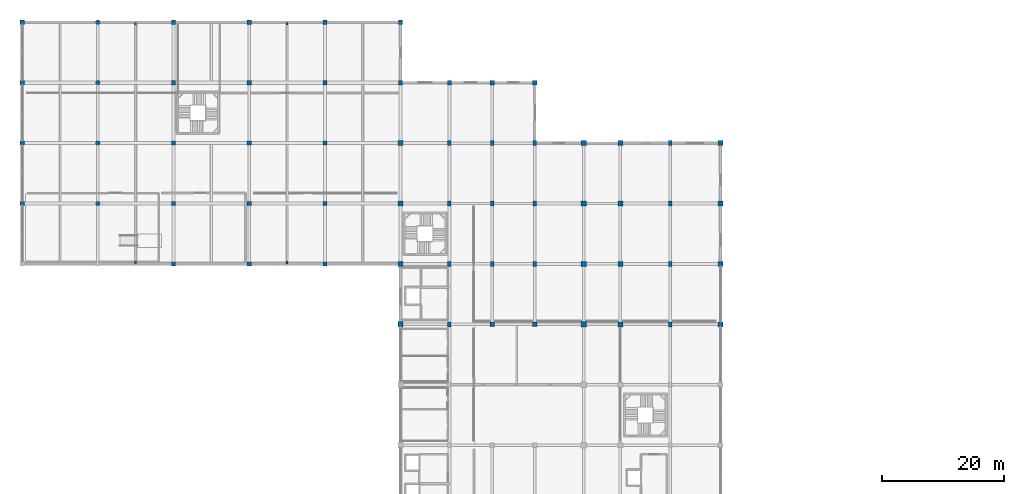
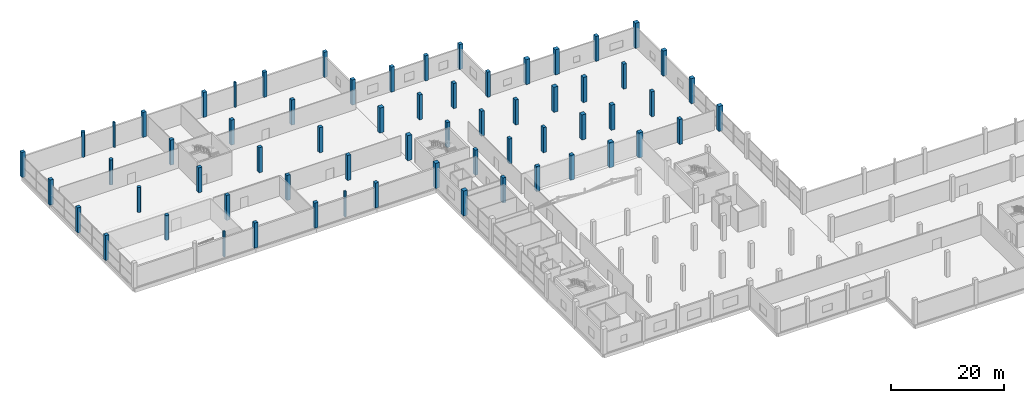
# One storey, part 2 of 72: 64 columns.
"""IFC4 building model written with IfcOpenShell, lengths in metres."""

from ifc_helpers import new_model, si_unit, direction, frame, origin, origin_2d, place, context, subcontext, project, spatial, rectangle, circle, extrude, material, material_profile, profile_set, type_object, element, save


model = new_model("IFC4")

# Units and contexts
model_context = context("Model", 3, precision=1e-05, world=origin(), true_north=direction((0.0, 1.0)))
body_context = subcontext(model_context, "Body", "Model", "MODEL_VIEW")
ifc_project = project(units=[si_unit("LENGTHUNIT", "METRE"), si_unit("AREAUNIT", "SQUARE_METRE"), si_unit("VOLUMEUNIT", "CUBIC_METRE"), si_unit("PLANEANGLEUNIT", "RADIAN"), si_unit("MASSUNIT", "GRAM", prefix="KILO")], contexts=[model_context])

# Site, building, storey
site_placement = place(None, origin())
site = spatial("IfcSite", under=ifc_project, at=site_placement, CompositionType="ELEMENT")
building_placement = place(site_placement, origin())
building = spatial("IfcBuilding", under=site, at=building_placement, Name="Sillaruma Civic Art Gallery", CompositionType="ELEMENT")
storey_placement = place(building_placement, frame((0.0, 0.0, 10.8798828125)))
storey = spatial("IfcBuildingStorey", under=building, at=storey_placement, Name="L02", CompositionType="ELEMENT", Elevation=10.8798828125)

# Columns
ifc_material = material(Name="Concrete H40 (40 MPa)", Category="concrete")
ifc_material_profile_1 = material_profile(ifc_material, rectangle(XDim=0.699951171875, YDim=0.699951171875, at=origin_2d()), Name="RC700x700")
ifc_profile_set_1 = profile_set([ifc_material_profile_1], Name="Concrete H40 (40 MPa)")
column_type_1 = type_object("IfcColumnType", Name="COL-COLUMN-RC700x700", PredefinedType="COLUMN", material=ifc_profile_set_1)
for number, where, z_axis, x_axis, name in (
    (1, (0.0, 89.10009765625, 0.0), (0.0, 0.0, 1.0), (1.0, 0.0, 0.0), "Column C-06 (L02:A10)"),
    (2, (0.0, 99.0, 0.0), (0.0, 0.0, 1.0), (1.0, 0.0, 0.0), "Column C-06 (L02:A11)"),
    (3, (0.0, 108.89990234375, 0.0), (0.0, 0.0, 1.0), (1.0, 0.0, 0.0), "Column C-06 (L02:A12)"),
    (4, (0.0, 118.800048828125, 0.0), (0.0, 0.0, 1.0), (1.0, 0.0, 0.0), "Column C-06 (L02:A13)"),
    (5, (24.800048828125, 79.199951171875, 0.0), (0.0, 0.0, 1.0), (1.0, 0.0, 0.0), "Column C-06 (L02:C9)"),
    (6, (24.800048828125, 89.10009765625, 0.0), (0.0, 0.0, 1.0), (1.0, 0.0, 0.0), "Column C-06 (L02:C10)"),
    (7, (24.800048828125, 99.0, 0.0), (0.0, 0.0, 1.0), (1.0, 0.0, 0.0), "Column C-06 (L02:C11)"),
    (8, (24.800048828125, 108.89990234375, 0.0), (0.0, 0.0, 1.0), (1.0, 0.0, 0.0), "Column C-06 (L02:C12)"),
    (9, (24.800048828125, 118.800048828125, 0.0), (0.0, 0.0, 1.0), (1.0, 0.0, 0.0), "Column C-06 (L02:C13)"),
    (10, (37.199951171875, 79.199951171875, 0.0), (0.0, 0.0, 1.0), (1.0, 0.0, 0.0), "Column C-06 (L02:D9)"),
    (11, (37.199951171875, 89.10009765625, 0.0), (0.0, 0.0, 1.0), (1.0, 0.0, 0.0), "Column C-06 (L02:D10)"),
    (12, (37.199951171875, 99.0, 0.0), (0.0, 0.0, 1.0), (1.0, 0.0, 0.0), "Column C-06 (L02:D11)"),
    (13, (37.199951171875, 108.89990234375, 0.0), (0.0, 0.0, 1.0), (1.0, 0.0, 0.0), "Column C-06 (L02:D12)"),
    (14, (37.199951171875, 118.800048828125, 0.0), (0.0, 0.0, 1.0), (1.0, 0.0, 0.0), "Column C-06 (L02:D13)"),
    (15, (49.60009765625, 79.199951171875, 0.0), (0.0, 0.0, 1.0), (1.0, 0.0, 0.0), "Column C-06 (L02:E9)"),
    (16, (49.60009765625, 89.10009765625, 0.0), (0.0, 0.0, 1.0), (1.0, 0.0, 0.0), "Column C-06 (L02:E10)"),
    (17, (49.60009765625, 99.0, 0.0), (0.0, 0.0, 1.0), (1.0, 0.0, 0.0), "Column C-06 (L02:E11)"),
    (18, (49.60009765625, 108.89990234375, 0.0), (0.0, 0.0, 1.0), (1.0, 0.0, 0.0), "Column C-06 (L02:E12)"),
    (19, (49.60009765625, 118.800048828125, 0.0), (0.0, 0.0, 1.0), (1.0, 0.0, 0.0), "Column C-06 (L02:E13)"),
    (20, (62.0, 108.89990234375, 0.0), (0.0, 0.0, 1.0), (1.0, 0.0, 0.0), "Column C-06 (L02:F12)"),
    (21, (62.0, 118.800048828125, 0.0), (0.0, 0.0, 1.0), (1.0, 0.0, 0.0), "Column C-06 (L02:F13)"),
    (22, (70.0, 108.89990234375, 0.0), (0.0, 0.0, 1.0), (1.0, 0.0, 0.0), "Column C-06 (L02:G12)"),
    (23, (77.0, 69.300048828125, 0.0), (0.0, 0.0, 1.0), (1.0, 0.0, 0.0), "Column C-06 (L02:H8)"),
    (24, (77.0, 108.89990234375, 0.0), (0.0, 0.0, 1.0), (1.0, 0.0, 0.0), "Column C-06 (L02:H12)"),
    (25, (84.0, 69.300048828125, 0.0), (0.0, 0.0, 1.0), (1.0, 0.0, 0.0), "Column C-06 (L02:J8)"),
    (26, (84.0, 108.89990234375, 0.0), (0.0, 0.0, 1.0), (1.0, 0.0, 0.0), "Column C-06 (L02:J12)"),
):
    element("IfcColumn", number, at=place(storey_placement, frame(where, z_axis=z_axis, x_axis=x_axis)), inside=storey, type_object=column_type_1, Name=name, PredefinedType="COLUMN", context=body_context, shape_type="SweptSolid", body=[
        extrude(rectangle(XDim=0.699951171875, YDim=0.699951171875, at=origin_2d()), origin(), (0.0, 0.0, 1.0), 5.440185546875),
    ])
ifc_material_profile_2 = material_profile(ifc_material, rectangle(XDim=0.60009765625, YDim=0.800048828125, at=origin_2d()), Name="RC800x600")
ifc_profile_set_2 = profile_set([ifc_material_profile_2], Name="Concrete H40 (40 MPa)")
column_type_2 = type_object("IfcColumnType", Name="COL-COLUMN-RC800x600", PredefinedType="COLUMN", material=ifc_profile_set_2)
for number, where, z_axis, x_axis, name in (
    (27, (70.0, 69.300048828125, 0.0), (0.0, 0.0, 1.0), (1.0, 0.0, 0.0), "Column C-10 (L02:G8)"),
    (28, (70.0, 79.199951171875, 0.0), (0.0, 0.0, 1.0), (1.0, 0.0, 0.0), "Column C-10 (L02:G9)"),
    (29, (70.0, 89.10009765625, 0.0), (0.0, 0.0, 1.0), (1.0, 0.0, 0.0), "Column C-10 (L02:G10)"),
    (30, (70.0, 99.0, 0.0), (0.0, 0.0, 1.0), (1.0, 0.0, 0.0), "Column C-10 (L02:G11)"),
    (31, (77.0, 79.199951171875, 0.0), (0.0, 0.0, 1.0), (1.0, 0.0, 0.0), "Column C-10 (L02:H9)"),
    (32, (77.0, 89.10009765625, 0.0), (0.0, 0.0, 1.0), (1.0, 0.0, 0.0), "Column C-10 (L02:H10)"),
    (33, (77.0, 99.0, 0.0), (0.0, 0.0, 1.0), (1.0, 0.0, 0.0), "Column C-10 (L02:H11)"),
    (34, (84.0, 79.199951171875, 0.0), (0.0, 0.0, 1.0), (1.0, 0.0, 0.0), "Column C-10 (L02:J9)"),
    (35, (84.0, 89.10009765625, 0.0), (0.0, 0.0, 1.0), (1.0, 0.0, 0.0), "Column C-10 (L02:J10)"),
    (36, (84.0, 99.0, 0.0), (0.0, 0.0, 1.0), (1.0, 0.0, 0.0), "Column C-10 (L02:J11)"),
    (37, (106.199951171875, 69.300048828125, 0.0), (0.0, 0.0, 1.0), (1.0, 0.0, 0.0), "Column C-10 (L02:M8)"),
    (38, (106.199951171875, 79.199951171875, 0.0), (0.0, 0.0, 1.0), (1.0, 0.0, 0.0), "Column C-10 (L02:M9)"),
    (39, (106.199951171875, 89.10009765625, 0.0), (0.0, 0.0, 1.0), (1.0, 0.0, 0.0), "Column C-10 (L02:M10)"),
    (40, (106.199951171875, 99.0, 0.0), (0.0, 0.0, 1.0), (1.0, 0.0, 0.0), "Column C-10 (L02:M11)"),
):
    element("IfcColumn", number, at=place(storey_placement, frame(where, z_axis=z_axis, x_axis=x_axis)), inside=storey, type_object=column_type_2, Name=name, PredefinedType="COLUMN", context=body_context, shape_type="SweptSolid", body=[
        extrude(rectangle(XDim=0.60009765625, YDim=0.800048828125, at=origin_2d()), origin(), (0.0, 0.0, 1.0), 5.440185546875),
    ])
ifc_material_profile_3 = material_profile(ifc_material, rectangle(XDim=0.800048828125, YDim=0.800048828125, at=origin_2d()), Name="RC800x800")
ifc_profile_set_3 = profile_set([ifc_material_profile_3], Name="Concrete H40 (40 MPa)")
column_type_3 = type_object("IfcColumnType", Name="COL-COLUMN-RC800x800", PredefinedType="COLUMN", material=ifc_profile_set_3)
for number, where, z_axis, x_axis, name in (
    (41, (98.0, 69.300048828125, 0.0), (0.0, 0.0, 1.0), (1.0, 0.0, 0.0), "Column C-04 (L02:L8)"),
    (42, (98.0, 79.199951171875, 0.0), (0.0, 0.0, 1.0), (1.0, 0.0, 0.0), "Column C-04 (L02:L9)"),
    (43, (98.0, 89.10009765625, 0.0), (0.0, 0.0, 1.0), (1.0, 0.0, 0.0), "Column C-04 (L02:L10)"),
    (44, (98.0, 99.0, 0.0), (0.0, 0.0, 1.0), (1.0, 0.0, 0.0), "Column C-04 (L02:L11)"),
    (45, (114.39990234375, 69.300048828125, 0.0), (0.0, 0.0, 1.0), (1.0, 0.0, 0.0), "Column C-04 (L02:N8)"),
    (46, (114.39990234375, 79.199951171875, 0.0), (0.0, 0.0, 1.0), (1.0, 0.0, 0.0), "Column C-04 (L02:N9)"),
    (47, (114.39990234375, 89.10009765625, 0.0), (0.0, 0.0, 1.0), (1.0, 0.0, 0.0), "Column C-04 (L02:N10)"),
    (48, (114.39990234375, 99.0, 0.0), (0.0, 0.0, 1.0), (1.0, 0.0, 0.0), "Column C-04 (L02:N11)"),
):
    element("IfcColumn", number, at=place(storey_placement, frame(where, z_axis=z_axis, x_axis=x_axis)), inside=storey, type_object=column_type_3, Name=name, PredefinedType="COLUMN", context=body_context, shape_type="SweptSolid", body=[
        extrude(rectangle(XDim=0.800048828125, YDim=0.800048828125, at=origin_2d()), origin(), (0.0, 0.0, 1.0), 5.440185546875),
    ])
ifc_material_profile_4 = material_profile(ifc_material, rectangle(XDim=0.85009765625, YDim=0.85009765625, at=origin_2d()), Name="RC850x850")
ifc_profile_set_4 = profile_set([ifc_material_profile_4], Name="Concrete H40 (40 MPa)")
column_type_4 = type_object("IfcColumnType", Name="COL-COLUMN-RC850x850", PredefinedType="COLUMN", material=ifc_profile_set_4)
for number, where, z_axis, x_axis, name in (
    (49, (62.0, 69.300048828125, 0.0), (0.0, 0.0, 1.0), (1.0, 0.0, 0.0), "Column C-03 (L02:F8)"),
    (50, (62.0, 79.199951171875, 0.0), (0.0, 0.0, 1.0), (1.0, 0.0, 0.0), "Column C-03 (L02:F9)"),
    (51, (62.0, 89.10009765625, 0.0), (0.0, 0.0, 1.0), (1.0, 0.0, 0.0), "Column C-03 (L02:F10)"),
    (52, (62.0, 99.0, 0.0), (0.0, 0.0, 1.0), (1.0, 0.0, 0.0), "Column C-03 (L02:F11)"),
    (53, (92.0, 69.300048828125, 0.0), (0.0, 0.0, 1.0), (1.0, 0.0, 0.0), "Column C-03 (L02:K8)"),
    (54, (92.0, 79.199951171875, 0.0), (0.0, 0.0, 1.0), (1.0, 0.0, 0.0), "Column C-03 (L02:K9)"),
    (55, (92.0, 89.10009765625, 0.0), (0.0, 0.0, 1.0), (1.0, 0.0, 0.0), "Column C-03 (L02:K10)"),
    (56, (92.0, 99.0, 0.0), (0.0, 0.0, 1.0), (1.0, 0.0, 0.0), "Column C-03 (L02:K11)"),
):
    element("IfcColumn", number, at=place(storey_placement, frame(where, z_axis=z_axis, x_axis=x_axis)), inside=storey, type_object=column_type_4, Name=name, PredefinedType="COLUMN", context=body_context, shape_type="SweptSolid", body=[
        extrude(rectangle(XDim=0.85009765625, YDim=0.85009765625, at=origin_2d()), origin(), (0.0, 0.0, 1.0), 5.440185546875),
    ])
ifc_material_profile_5 = material_profile(ifc_material, circle(Radius=0.360107421875, at=origin_2d()), Name="RCC720")
ifc_profile_set_5 = profile_set([ifc_material_profile_5], Name="Concrete H40 (40 MPa)")
column_type_5 = type_object("IfcColumnType", Name="COL-COLUMN-RCC720", PredefinedType="COLUMN", material=ifc_profile_set_5)
for number, where, z_axis, x_axis, name in (
    (57, (12.39990234375, 89.10009765625, 0.0), (0.0, 0.0, 1.0), (1.0, 0.0, 0.0), "Column CC-02 (L02:B10)"),
    (58, (12.39990234375, 99.0, 0.0), (0.0, 0.0, 1.0), (1.0, 0.0, 0.0), "Column CC-02 (L02:B11)"),
    (59, (12.39990234375, 108.89990234375, 0.0), (0.0, 0.0, 1.0), (1.0, 0.0, 0.0), "Column CC-02 (L02:B12)"),
    (60, (12.39990234375, 118.800048828125, 0.0), (0.0, 0.0, 1.0), (1.0, 0.0, 0.0), "Column CC-02 (L02:B13)"),
):
    element("IfcColumn", number, at=place(storey_placement, frame(where, z_axis=z_axis, x_axis=x_axis)), inside=storey, type_object=column_type_5, Name=name, PredefinedType="COLUMN", context=body_context, shape_type="SweptSolid", body=[
        extrude(circle(Radius=0.360107421875, at=origin_2d()), origin(), (0.0, 0.0, 1.0), 5.440185546875),
    ])
ifc_material_profile_6 = material_profile(ifc_material, rectangle(XDim=0.340087890625, YDim=0.449951171875, at=origin_2d()), Name="RC450x340")
ifc_profile_set_6 = profile_set([ifc_material_profile_6], Name="Concrete H40 (40 MPa)")
column_type_6 = type_object("IfcColumnType", Name="COL-PILASTER-RC450x340", PredefinedType="PILASTER", material=ifc_profile_set_6)
for number, where, z_axis, x_axis, name in (
    (61, (18.60009765625, 79.449951171875, 0.0), (0.0, 0.0, 1.0), (1.0, 0.0, 0.0), "Pilaster CP-02 (L02:PIL-W1)"),
    (62, (43.39990234375, 79.449951171875, 0.0), (0.0, 0.0, 1.0), (1.0, 0.0, 0.0), "Pilaster CP-02 (L02:PIL-W2)"),
    (63, (18.60009765625, 118.550048828125, 0.0), (0.0, 0.0, 1.0), (1.0, 0.0, 0.0), "Pilaster CP-02 (L02:PIL-W3)"),
    (64, (43.39990234375, 118.550048828125, 0.0), (0.0, 0.0, 1.0), (1.0, 0.0, 0.0), "Pilaster CP-02 (L02:PIL-W4)"),
):
    element("IfcColumn", number, at=place(storey_placement, frame(where, z_axis=z_axis, x_axis=x_axis)), inside=storey, type_object=column_type_6, Name=name, PredefinedType="PILASTER", context=body_context, shape_type="SweptSolid", body=[
        extrude(rectangle(XDim=0.340087890625, YDim=0.449951171875, at=origin_2d()), origin(), (0.0, 0.0, 1.0), 5.440185546875),
    ])

save(model, "model.ifc")
